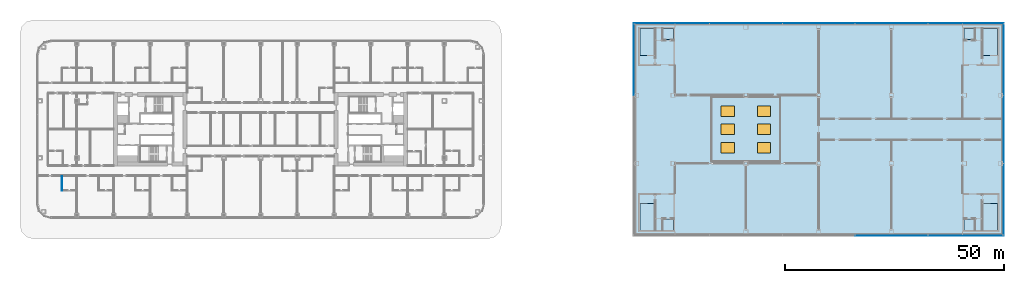
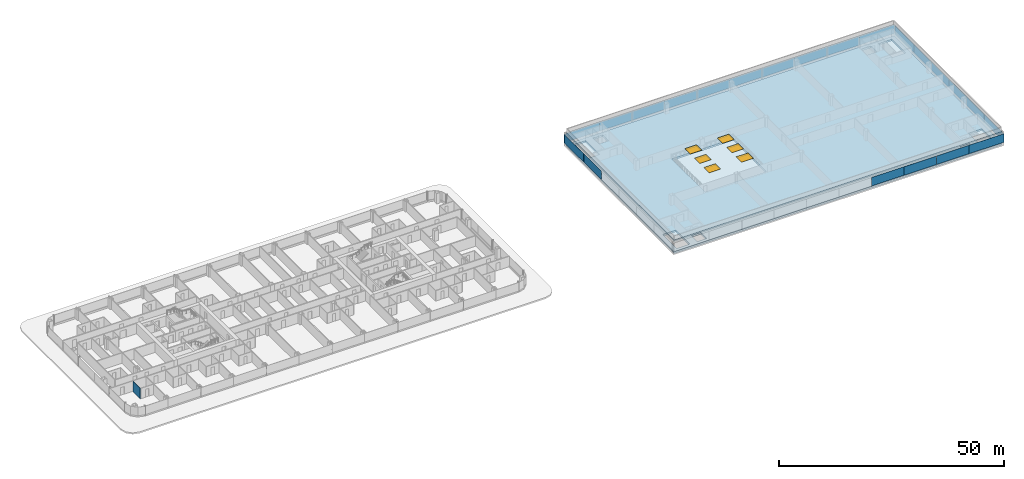
# One storey, part 20 of 42: 22 plates, 6 windows, 2 slabs, 1 wall, 6 openings, 4 elements without a shape of their own.
"""IFC4 building model written with IfcOpenShell, lengths in metres."""

from ifc_helpers import new_model, si_unit, direction, frame, frame_2d, origin, origin_2d, place, context, subcontext, project, spatial, polyline, rectangle, outline, extrude, material, layer, layer_set, type_object, element, fill, aggregate, save


model = new_model("IFC4")

# Units and contexts
model_context = context("Model", 3, precision=1e-05, world=origin(), true_north=direction((0.0, 1.0)))
body_context = subcontext(model_context, "Body", "Model", "MODEL_VIEW")
ifc_project = project(units=[si_unit("LENGTHUNIT", "METRE"), si_unit("AREAUNIT", "SQUARE_METRE"), si_unit("VOLUMEUNIT", "CUBIC_METRE"), si_unit("PLANEANGLEUNIT", "RADIAN"), si_unit("MASSUNIT", "GRAM", prefix="KILO")], contexts=[model_context])

# Site, building, storey
site_placement = place(None, origin())
site = spatial("IfcSite", under=ifc_project, at=site_placement, CompositionType="ELEMENT")
building_placement = place(site_placement, origin())
building = spatial("IfcBuilding", under=site, at=building_placement, Name="Hakoniwa Tower and Hamabe Station Hall", CompositionType="ELEMENT")
storey_placement = place(building_placement, frame((0.0, 0.0, 19.800048828125)))
storey = spatial("IfcBuildingStorey", under=building, at=storey_placement, Name="L04", CompositionType="ELEMENT", Elevation=19.800048828125)

# Curtain wall, plates
ifc_material_1 = material(Name="Dark low-e laminated glass", Category="glass")
ifc_layer_1 = layer(ifc_material_1, 0.199951171875)
ifc_layer_set_1 = layer_set([ifc_layer_1], Name="CW-7 STATION")
curtain_wall_type = type_object("IfcCurtainWallType", Name="CW-7 STATION", PredefinedType="NOTDEFINED", material=ifc_layer_set_1)
curtain_wall_1_placement = place(storey_placement, origin())
curtain_wall_1 = element("IfcCurtainWall", 1, at=curtain_wall_1_placement, inside=storey, type_object=curtain_wall_type, Name="Station curtain wall L04 south", PredefinedType="NOTDEFINED")
ifc_material_2 = material(Name="Dark low-e laminated glass", Category="glass")
ifc_layer_2 = layer(ifc_material_2, 0.0400390625)
ifc_layer_set_2 = layer_set([ifc_layer_2], Name="CW-7 STATION GLASS UNIT")
plate_type = type_object("IfcPlateType", Name="CW-7 STATION GLASS UNIT", PredefinedType="CURTAIN_PANEL", material=ifc_layer_set_2)
plate_1_placement = place(storey_placement, frame((140.030029296875, -24.285888671875, 0.35009765625), z_axis=(0.0, 0.0, 1.0), x_axis=(1.0, 0.0, 0.0)))
plate_1 = element("IfcPlate", 2, at=plate_1_placement, type_object=plate_type, Name="CW-7 glass unit", PredefinedType="CURTAIN_PANEL", context=body_context, shape_type="SweptSolid", body=[
    extrude(rectangle(XDim=8.300048828125, YDim=0.0400390625, at=origin_2d()), origin(), (0.0, 0.0, 1.0), 2.300048828125),
])
plate_2_placement = place(storey_placement, frame((148.35009765625, -24.285888671875, 0.35009765625), z_axis=(0.0, 0.0, 1.0), x_axis=(1.0, 0.0, 0.0)))
plate_2 = element("IfcPlate", 3, at=plate_2_placement, type_object=plate_type, Name="CW-7 glass unit", PredefinedType="CURTAIN_PANEL", context=body_context, shape_type="SweptSolid", body=[
    extrude(rectangle(XDim=8.300048828125, YDim=0.0400390625, at=origin_2d()), origin(), (0.0, 0.0, 1.0), 2.300048828125),
])
plate_3_placement = place(storey_placement, frame((156.669921875, -24.285888671875, 0.35009765625), z_axis=(0.0, 0.0, 1.0), x_axis=(1.0, 0.0, 0.0)))
plate_3 = element("IfcPlate", 4, at=plate_3_placement, type_object=plate_type, Name="CW-7 glass unit", PredefinedType="CURTAIN_PANEL", context=body_context, shape_type="SweptSolid", body=[
    extrude(rectangle(XDim=8.300048828125, YDim=0.0400390625, at=origin_2d()), origin(), (0.0, 0.0, 1.0), 2.300048828125),
])
plate_4_placement = place(storey_placement, frame((165.340087890625, -24.285888671875, 0.35009765625), z_axis=(0.0, 0.0, 1.0), x_axis=(1.0, 0.0, 0.0)))
plate_4 = element("IfcPlate", 5, at=plate_4_placement, type_object=plate_type, Name="CW-7 glass unit", PredefinedType="CURTAIN_PANEL", context=body_context, shape_type="SweptSolid", body=[
    extrude(rectangle(XDim=9.0, YDim=0.0400390625, at=origin_2d()), origin(), (0.0, 0.0, 1.0), 2.300048828125),
])
aggregate(curtain_wall_1, [plate_1, plate_2, plate_3, plate_4])

curtain_wall_2_placement = place(storey_placement, origin())
curtain_wall_2 = element("IfcCurtainWall", 6, at=curtain_wall_2_placement, inside=storey, type_object=curtain_wall_type, Name="Station curtain wall L04 east", PredefinedType="NOTDEFINED")
plate_5_placement = place(storey_placement, frame((169.8359375, -19.85009765625, 0.35009765625), z_axis=(0.0, 0.0, 1.0), x_axis=(0.0, 1.0, 0.0)))
plate_5 = element("IfcPlate", 7, at=plate_5_placement, type_object=plate_type, Name="CW-7 glass unit", PredefinedType="CURTAIN_PANEL", context=body_context, shape_type="SweptSolid", body=[
    extrude(rectangle(XDim=8.47998046875, YDim=0.0400390625, at=origin_2d()), origin(), (0.0, 0.0, 1.0), 2.300048828125),
])
plate_6_placement = place(storey_placement, frame((169.8359375, -11.699951171875, 0.35009765625), z_axis=(0.0, 0.0, 1.0), x_axis=(0.0, 1.0, 0.0)))
plate_6 = element("IfcPlate", 8, at=plate_6_placement, type_object=plate_type, Name="CW-7 glass unit", PredefinedType="CURTAIN_PANEL", context=body_context, shape_type="SweptSolid", body=[
    extrude(rectangle(XDim=7.780029296875, YDim=0.0400390625, at=origin_2d()), origin(), (0.0, 0.0, 1.0), 2.300048828125),
])
plate_7_placement = place(storey_placement, frame((169.8359375, -3.89990234375, 0.35009765625), z_axis=(0.0, 0.0, 1.0), x_axis=(0.0, 1.0, 0.0)))
plate_7 = element("IfcPlate", 9, at=plate_7_placement, type_object=plate_type, Name="CW-7 glass unit", PredefinedType="CURTAIN_PANEL", context=body_context, shape_type="SweptSolid", body=[
    extrude(rectangle(XDim=7.780029296875, YDim=0.0400390625, at=origin_2d()), origin(), (0.0, 0.0, 1.0), 2.300048828125),
])
plate_8_placement = place(storey_placement, frame((169.8359375, 3.89990234375, 0.35009765625), z_axis=(0.0, 0.0, 1.0), x_axis=(0.0, 1.0, 0.0)))
plate_8 = element("IfcPlate", 10, at=plate_8_placement, type_object=plate_type, Name="CW-7 glass unit", PredefinedType="CURTAIN_PANEL", context=body_context, shape_type="SweptSolid", body=[
    extrude(rectangle(XDim=7.780029296875, YDim=0.0400390625, at=origin_2d()), origin(), (0.0, 0.0, 1.0), 2.300048828125),
])
plate_9_placement = place(storey_placement, frame((169.8359375, 11.699951171875, 0.35009765625), z_axis=(0.0, 0.0, 1.0), x_axis=(0.0, 1.0, 0.0)))
plate_9 = element("IfcPlate", 11, at=plate_9_placement, type_object=plate_type, Name="CW-7 glass unit", PredefinedType="CURTAIN_PANEL", context=body_context, shape_type="SweptSolid", body=[
    extrude(rectangle(XDim=7.780029296875, YDim=0.0400390625, at=origin_2d()), origin(), (0.0, 0.0, 1.0), 2.300048828125),
])
plate_10_placement = place(storey_placement, frame((169.8359375, 19.85009765625, 0.35009765625), z_axis=(0.0, 0.0, 1.0), x_axis=(0.0, 1.0, 0.0)))
plate_10 = element("IfcPlate", 12, at=plate_10_placement, type_object=plate_type, Name="CW-7 glass unit", PredefinedType="CURTAIN_PANEL", context=body_context, shape_type="SweptSolid", body=[
    extrude(rectangle(XDim=8.47998046875, YDim=0.0400390625, at=origin_2d()), origin(), (0.0, 0.0, 1.0), 2.300048828125),
])
aggregate(curtain_wall_2, [plate_5, plate_6, plate_7, plate_8, plate_9, plate_10])

curtain_wall_3_placement = place(storey_placement, origin())
curtain_wall_3 = element("IfcCurtainWall", 13, at=curtain_wall_3_placement, inside=storey, type_object=curtain_wall_type, Name="Station curtain wall L04 north", PredefinedType="NOTDEFINED")
plate_11_placement = place(storey_placement, frame((165.340087890625, 24.285888671875, 0.35009765625), z_axis=(0.0, 0.0, 1.0), x_axis=(-1.0, 0.0, 0.0)))
plate_11 = element("IfcPlate", 14, at=plate_11_placement, type_object=plate_type, Name="CW-7 glass unit", PredefinedType="CURTAIN_PANEL", context=body_context, shape_type="SweptSolid", body=[
    extrude(rectangle(XDim=9.0, YDim=0.0400390625, at=origin_2d()), origin(), (0.0, 0.0, 1.0), 2.300048828125),
])
plate_12_placement = place(storey_placement, frame((156.669921875, 24.285888671875, 0.35009765625), z_axis=(0.0, 0.0, 1.0), x_axis=(-1.0, 0.0, 0.0)))
plate_12 = element("IfcPlate", 15, at=plate_12_placement, type_object=plate_type, Name="CW-7 glass unit", PredefinedType="CURTAIN_PANEL", context=body_context, shape_type="SweptSolid", body=[
    extrude(rectangle(XDim=8.300048828125, YDim=0.0400390625, at=origin_2d()), origin(), (0.0, 0.0, 1.0), 2.300048828125),
])
plate_13_placement = place(storey_placement, frame((148.35009765625, 24.285888671875, 0.35009765625), z_axis=(0.0, 0.0, 1.0), x_axis=(-1.0, 0.0, 0.0)))
plate_13 = element("IfcPlate", 16, at=plate_13_placement, type_object=plate_type, Name="CW-7 glass unit", PredefinedType="CURTAIN_PANEL", context=body_context, shape_type="SweptSolid", body=[
    extrude(rectangle(XDim=8.300048828125, YDim=0.0400390625, at=origin_2d()), origin(), (0.0, 0.0, 1.0), 2.300048828125),
])
plate_14_placement = place(storey_placement, frame((140.030029296875, 24.285888671875, 0.35009765625), z_axis=(0.0, 0.0, 1.0), x_axis=(-1.0, 0.0, 0.0)))
plate_14 = element("IfcPlate", 17, at=plate_14_placement, type_object=plate_type, Name="CW-7 glass unit", PredefinedType="CURTAIN_PANEL", context=body_context, shape_type="SweptSolid", body=[
    extrude(rectangle(XDim=8.300048828125, YDim=0.0400390625, at=origin_2d()), origin(), (0.0, 0.0, 1.0), 2.300048828125),
])
plate_15_placement = place(storey_placement, frame((131.7099609375, 24.285888671875, 0.35009765625), z_axis=(0.0, 0.0, 1.0), x_axis=(-1.0, 0.0, 0.0)))
plate_15 = element("IfcPlate", 18, at=plate_15_placement, type_object=plate_type, Name="CW-7 glass unit", PredefinedType="CURTAIN_PANEL", context=body_context, shape_type="SweptSolid", body=[
    extrude(rectangle(XDim=8.300048828125, YDim=0.0400390625, at=origin_2d()), origin(), (0.0, 0.0, 1.0), 2.300048828125),
])
plate_16_placement = place(storey_placement, frame((123.389892578125, 24.285888671875, 0.35009765625), z_axis=(0.0, 0.0, 1.0), x_axis=(-1.0, 0.0, 0.0)))
plate_16 = element("IfcPlate", 19, at=plate_16_placement, type_object=plate_type, Name="CW-7 glass unit", PredefinedType="CURTAIN_PANEL", context=body_context, shape_type="SweptSolid", body=[
    extrude(rectangle(XDim=8.300048828125, YDim=0.0400390625, at=origin_2d()), origin(), (0.0, 0.0, 1.0), 2.300048828125),
])
plate_17_placement = place(storey_placement, frame((115.070068359375, 24.285888671875, 0.35009765625), z_axis=(0.0, 0.0, 1.0), x_axis=(-1.0, 0.0, 0.0)))
plate_17 = element("IfcPlate", 20, at=plate_17_placement, type_object=plate_type, Name="CW-7 glass unit", PredefinedType="CURTAIN_PANEL", context=body_context, shape_type="SweptSolid", body=[
    extrude(rectangle(XDim=8.300048828125, YDim=0.0400390625, at=origin_2d()), origin(), (0.0, 0.0, 1.0), 2.300048828125),
])
plate_18_placement = place(storey_placement, frame((106.75, 24.285888671875, 0.35009765625), z_axis=(0.0, 0.0, 1.0), x_axis=(-1.0, 0.0, 0.0)))
plate_18 = element("IfcPlate", 21, at=plate_18_placement, type_object=plate_type, Name="CW-7 glass unit", PredefinedType="CURTAIN_PANEL", context=body_context, shape_type="SweptSolid", body=[
    extrude(rectangle(XDim=8.300048828125, YDim=0.0400390625, at=origin_2d()), origin(), (0.0, 0.0, 1.0), 2.300048828125),
])
plate_19_placement = place(storey_placement, frame((98.429931640625, 24.285888671875, 0.35009765625), z_axis=(0.0, 0.0, 1.0), x_axis=(-1.0, 0.0, 0.0)))
plate_19 = element("IfcPlate", 22, at=plate_19_placement, type_object=plate_type, Name="CW-7 glass unit", PredefinedType="CURTAIN_PANEL", context=body_context, shape_type="SweptSolid", body=[
    extrude(rectangle(XDim=8.300048828125, YDim=0.0400390625, at=origin_2d()), origin(), (0.0, 0.0, 1.0), 2.300048828125),
])
plate_20_placement = place(storey_placement, frame((89.760009765625, 24.285888671875, 0.35009765625), z_axis=(0.0, 0.0, 1.0), x_axis=(-1.0, 0.0, 0.0)))
plate_20 = element("IfcPlate", 23, at=plate_20_placement, type_object=plate_type, Name="CW-7 glass unit", PredefinedType="CURTAIN_PANEL", context=body_context, shape_type="SweptSolid", body=[
    extrude(rectangle(XDim=9.0, YDim=0.0400390625, at=origin_2d()), origin(), (0.0, 0.0, 1.0), 2.300048828125),
])
aggregate(curtain_wall_3, [plate_11, plate_12, plate_13, plate_14, plate_15, plate_16, plate_17, plate_18, plate_19, plate_20])

curtain_wall_4_placement = place(storey_placement, origin())
curtain_wall_4 = element("IfcCurtainWall", 24, at=curtain_wall_4_placement, inside=storey, type_object=curtain_wall_type, Name="Station curtain wall L04 west", PredefinedType="NOTDEFINED")
plate_21_placement = place(storey_placement, frame((85.263916015625, 19.85009765625, 0.35009765625), z_axis=(0.0, 0.0, 1.0), x_axis=(0.0, -1.0, 0.0)))
plate_21 = element("IfcPlate", 25, at=plate_21_placement, type_object=plate_type, Name="CW-7 glass unit", PredefinedType="CURTAIN_PANEL", context=body_context, shape_type="SweptSolid", body=[
    extrude(rectangle(XDim=8.47998046875, YDim=0.0400390625, at=origin_2d()), origin(), (0.0, 0.0, 1.0), 2.300048828125),
])
plate_22_placement = place(storey_placement, frame((85.263916015625, 11.699951171875, 0.35009765625), z_axis=(0.0, 0.0, 1.0), x_axis=(0.0, -1.0, 0.0)))
plate_22 = element("IfcPlate", 26, at=plate_22_placement, type_object=plate_type, Name="CW-7 glass unit", PredefinedType="CURTAIN_PANEL", context=body_context, shape_type="SweptSolid", body=[
    extrude(rectangle(XDim=7.780029296875, YDim=0.0400390625, at=origin_2d()), origin(), (0.0, 0.0, 1.0), 2.300048828125),
])
aggregate(curtain_wall_4, [plate_21, plate_22])

# Slab
ifc_material_3 = material(Name="Concrete C40", Category="concrete")
ifc_layer_3 = layer(ifc_material_3, 0.5)
ifc_layer_set_3 = layer_set([ifc_layer_3], Name="STATION FLOOR SLAB 500")
slab_type_1 = type_object("IfcSlabType", Name="STATION FLOOR SLAB 500", PredefinedType="FLOOR", material=ifc_layer_set_3)
slab_1_placement = place(storey_placement, frame((0.0, 0.0, -0.5)))
element("IfcSlab", 27, at=slab_1_placement, inside=storey, type_object=slab_type_1, Name="Station floor slab L04", PredefinedType="FLOOR", context=body_context, shape_type="SweptSolid", body=[
    extrude(outline(polyline([(169.550048828125, -24.0), (169.550048828125, 24.0), (85.550048828125, 24.0), (85.550048828125, -24.0), (169.550048828125, -24.0)]), holes=[polyline([(118.75, -7.35009765625), (103.050048828125, -7.35009765625), (103.050048828125, 7.35009765625), (118.75, 7.35009765625), (118.75, -7.35009765625)]), polyline([(94.3701171875, 20.5), (91.949951171875, 20.5), (91.949951171875, 23.10009765625), (94.3701171875, 23.10009765625), (94.3701171875, 20.5)]), polyline([(90.050048828125, 16.909912109375), (86.64990234375, 16.909912109375), (86.64990234375, 23.10009765625), (90.050048828125, 23.10009765625), (90.050048828125, 16.909912109375)]), polyline([(163.14990234375, 20.5), (160.72998046875, 20.5), (160.72998046875, 23.10009765625), (163.14990234375, 23.10009765625), (163.14990234375, 20.5)]), polyline([(168.449951171875, 16.909912109375), (165.050048828125, 16.909912109375), (165.050048828125, 23.10009765625), (168.449951171875, 23.10009765625), (168.449951171875, 16.909912109375)]), polyline([(94.3701171875, -23.10009765625), (91.949951171875, -23.10009765625), (91.949951171875, -20.5), (94.3701171875, -20.5), (94.3701171875, -23.10009765625)]), polyline([(90.050048828125, -23.10009765625), (86.64990234375, -23.10009765625), (86.64990234375, -16.909912109375), (90.050048828125, -16.909912109375), (90.050048828125, -23.10009765625)]), polyline([(163.14990234375, -23.10009765625), (160.72998046875, -23.10009765625), (160.72998046875, -20.5), (163.14990234375, -20.5), (163.14990234375, -23.10009765625)]), polyline([(168.449951171875, -23.10009765625), (165.050048828125, -23.10009765625), (165.050048828125, -16.909912109375), (168.449951171875, -16.909912109375), (168.449951171875, -23.10009765625)])]), origin(), (0.0, 0.0, 1.0), 0.5),
])

# Slab, openings, windows
ifc_material_4 = material(Name="Concrete C40", Category="concrete")
ifc_layer_4 = layer(ifc_material_4, 0.5)
ifc_layer_set_4 = layer_set([ifc_layer_4], Name="STATION ROOF SLAB 500")
slab_type_2 = type_object("IfcSlabType", Name="STATION ROOF SLAB 500", PredefinedType="ROOF", material=ifc_layer_set_4)
slab_2_placement = place(storey_placement, frame((0.0, 0.0, 2.699951171875)))
slab_2 = element("IfcSlab", 28, at=slab_2_placement, inside=storey, type_object=slab_type_2, Name="Station roof slab", PredefinedType="ROOF", context=body_context, shape_type="SweptSolid", body=[
    extrude(outline(polyline([(169.550048828125, -24.0), (169.550048828125, 24.0), (85.550048828125, 24.0), (85.550048828125, -24.0), (169.550048828125, -24.0)])), origin(), (0.0, 0.0, 1.0), 0.5),
])
opening_1_placement = place(slab_2_placement, frame((106.75, -4.199951171875, 0.0)))
opening_1 = element("IfcOpeningElement", 29, at=opening_1_placement, cuts=slab_2, Name="Opening SKY-1", PredefinedType="OPENING", context=body_context, shape_type="SweptSolid", body=[
    extrude(rectangle(XDim=3.0, YDim=2.39990234375, at=origin_2d()), origin(), (0.0, 0.0, 1.0), 0.5),
])
opening_2_placement = place(slab_2_placement, frame((106.75, 0.0, 0.0)))
opening_2 = element("IfcOpeningElement", 30, at=opening_2_placement, cuts=slab_2, Name="Opening SKY-2", PredefinedType="OPENING", context=body_context, shape_type="SweptSolid", body=[
    extrude(rectangle(XDim=3.0, YDim=2.39990234375, at=origin_2d()), origin(), (0.0, 0.0, 1.0), 0.5),
])
opening_3_placement = place(slab_2_placement, frame((106.75, 4.199951171875, 0.0)))
opening_3 = element("IfcOpeningElement", 31, at=opening_3_placement, cuts=slab_2, Name="Opening SKY-3", PredefinedType="OPENING", context=body_context, shape_type="SweptSolid", body=[
    extrude(rectangle(XDim=3.0, YDim=2.39990234375, at=origin_2d()), origin(), (0.0, 0.0, 1.0), 0.5),
])
opening_4_placement = place(slab_2_placement, frame((115.050048828125, -4.199951171875, 0.0)))
opening_4 = element("IfcOpeningElement", 32, at=opening_4_placement, cuts=slab_2, Name="Opening SKY-4", PredefinedType="OPENING", context=body_context, shape_type="SweptSolid", body=[
    extrude(rectangle(XDim=3.0, YDim=2.39990234375, at=origin_2d()), origin(), (0.0, 0.0, 1.0), 0.5),
])
opening_5_placement = place(slab_2_placement, frame((115.050048828125, 0.0, 0.0)))
opening_5 = element("IfcOpeningElement", 33, at=opening_5_placement, cuts=slab_2, Name="Opening SKY-5", PredefinedType="OPENING", context=body_context, shape_type="SweptSolid", body=[
    extrude(rectangle(XDim=3.0, YDim=2.39990234375, at=origin_2d()), origin(), (0.0, 0.0, 1.0), 0.5),
])
opening_6_placement = place(slab_2_placement, frame((115.050048828125, 4.199951171875, 0.0)))
opening_6 = element("IfcOpeningElement", 34, at=opening_6_placement, cuts=slab_2, Name="Opening SKY-6", PredefinedType="OPENING", context=body_context, shape_type="SweptSolid", body=[
    extrude(rectangle(XDim=3.0, YDim=2.39990234375, at=origin_2d()), origin(), (0.0, 0.0, 1.0), 0.5),
])
ifc_material_5 = material(Name="Dark low-e laminated glass", Category="glass")
window_type = type_object("IfcWindowType", Name="STATION SKYLIGHT 3000X2400", PartitioningType="SINGLE_PANEL", PredefinedType="SKYLIGHT", material=ifc_material_5)
window_1_placement = place(opening_1_placement, frame((0.0, 0.0, 0.449951171875)))
window_1 = element("IfcWindow", 35, at=window_1_placement, inside=storey, type_object=window_type, Name="Atrium skylight 1", OverallHeight=2.39990234375, OverallWidth=3.0, PartitioningType="SINGLE_PANEL", PredefinedType="SKYLIGHT", context=body_context, shape_type="SweptSolid", body=[
    extrude(rectangle(XDim=3.0, YDim=2.39990234375, at=origin_2d()), origin(), (0.0, 0.0, 1.0), 0.050048828125),
])
fill(opening_1, window_1)
window_2_placement = place(opening_2_placement, frame((0.0, 0.0, 0.449951171875)))
window_2 = element("IfcWindow", 36, at=window_2_placement, inside=storey, type_object=window_type, Name="Atrium skylight 2", OverallHeight=2.39990234375, OverallWidth=3.0, PartitioningType="SINGLE_PANEL", PredefinedType="SKYLIGHT", context=body_context, shape_type="SweptSolid", body=[
    extrude(rectangle(XDim=3.0, YDim=2.39990234375, at=origin_2d()), origin(), (0.0, 0.0, 1.0), 0.050048828125),
])
fill(opening_2, window_2)
window_3_placement = place(opening_3_placement, frame((0.0, 0.0, 0.449951171875)))
window_3 = element("IfcWindow", 37, at=window_3_placement, inside=storey, type_object=window_type, Name="Atrium skylight 3", OverallHeight=2.39990234375, OverallWidth=3.0, PartitioningType="SINGLE_PANEL", PredefinedType="SKYLIGHT", context=body_context, shape_type="SweptSolid", body=[
    extrude(rectangle(XDim=3.0, YDim=2.39990234375, at=origin_2d()), origin(), (0.0, 0.0, 1.0), 0.050048828125),
])
fill(opening_3, window_3)
window_4_placement = place(opening_4_placement, frame((0.0, 0.0, 0.449951171875)))
window_4 = element("IfcWindow", 38, at=window_4_placement, inside=storey, type_object=window_type, Name="Atrium skylight 4", OverallHeight=2.39990234375, OverallWidth=3.0, PartitioningType="SINGLE_PANEL", PredefinedType="SKYLIGHT", context=body_context, shape_type="SweptSolid", body=[
    extrude(rectangle(XDim=3.0, YDim=2.39990234375, at=origin_2d()), origin(), (0.0, 0.0, 1.0), 0.050048828125),
])
fill(opening_4, window_4)
window_5_placement = place(opening_5_placement, frame((0.0, 0.0, 0.449951171875)))
window_5 = element("IfcWindow", 39, at=window_5_placement, inside=storey, type_object=window_type, Name="Atrium skylight 5", OverallHeight=2.39990234375, OverallWidth=3.0, PartitioningType="SINGLE_PANEL", PredefinedType="SKYLIGHT", context=body_context, shape_type="SweptSolid", body=[
    extrude(rectangle(XDim=3.0, YDim=2.39990234375, at=origin_2d()), origin(), (0.0, 0.0, 1.0), 0.050048828125),
])
fill(opening_5, window_5)
window_6_placement = place(opening_6_placement, frame((0.0, 0.0, 0.449951171875)))
window_6 = element("IfcWindow", 40, at=window_6_placement, inside=storey, type_object=window_type, Name="Atrium skylight 6", OverallHeight=2.39990234375, OverallWidth=3.0, PartitioningType="SINGLE_PANEL", PredefinedType="SKYLIGHT", context=body_context, shape_type="SweptSolid", body=[
    extrude(rectangle(XDim=3.0, YDim=2.39990234375, at=origin_2d()), origin(), (0.0, 0.0, 1.0), 0.050048828125),
])
fill(opening_6, window_6)

# Wall
ifc_material_6 = material(Name="Gypsum board partition", Category="gypsum")
ifc_layer_5 = layer(ifc_material_6, 0.125)
ifc_layer_set_5 = layer_set([ifc_layer_5], Name="Bathroom Partition 125")
wall_type = type_object("IfcWallType", Name="Bathroom Partition 125", PredefinedType="PARTITIONING", material=ifc_layer_set_5)
wall_placement = place(storey_placement, frame((-45.39990234375, -14.0, 0.0), z_axis=(0.0, 0.0, 1.0), x_axis=(0.0, 1.0, 0.0)))
element("IfcWall", 41, at=wall_placement, inside=storey, type_object=wall_type, Name="GW-L04-037", PredefinedType="PARTITIONING", context=body_context, shape_type="SweptSolid", body=[
    extrude(rectangle(XDim=3.300048828125, YDim=0.125, at=frame_2d((1.64990234375, 0.0))), origin(), (0.0, 0.0, 1.0), 2.800048828125),
])

save(model, "model.ifc")
